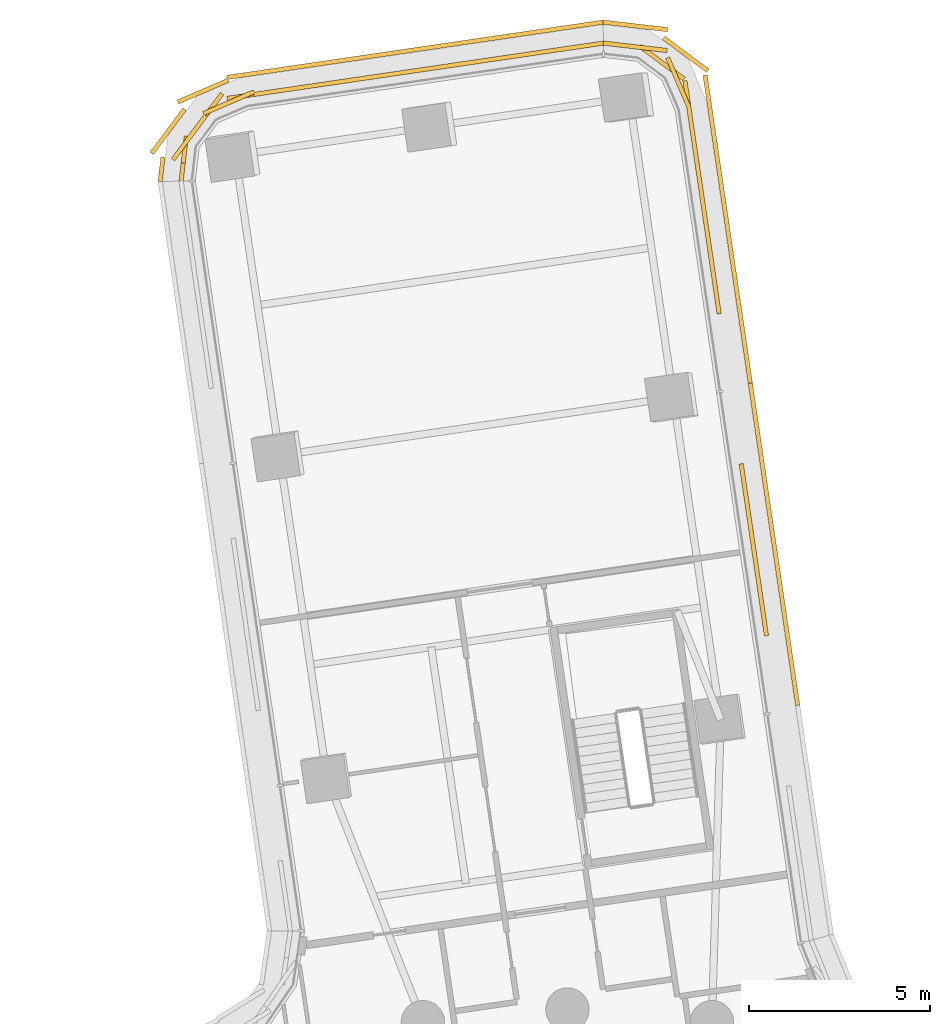
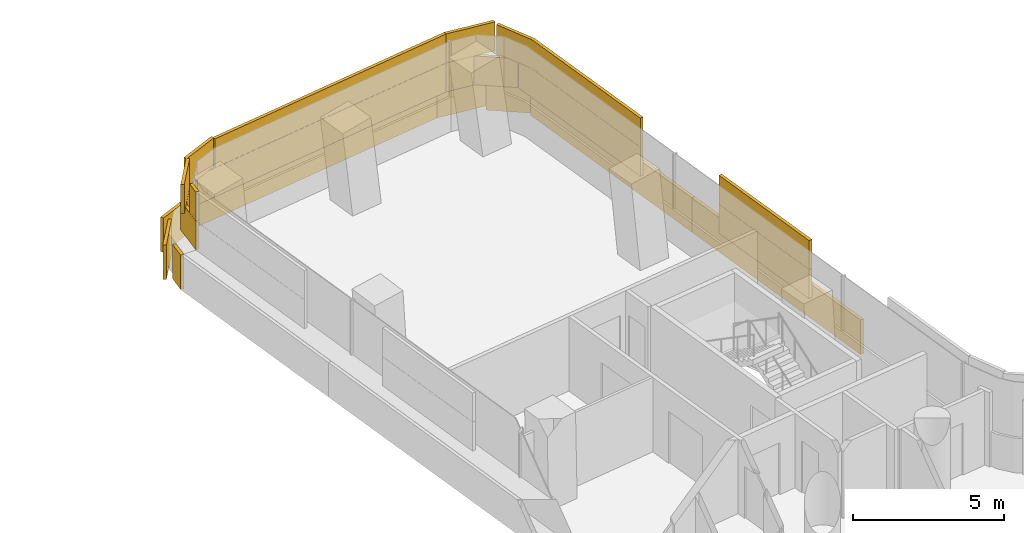
# One storey, part 31 of 31: 3 coverings.
"""IFC4 building model written with IfcOpenShell, lengths in metres."""

from ifc_helpers import new_model, si_unit, direction, frame, origin, origin_2d, place, context, subcontext, project, spatial, rectangle, extrude, material, layer, layer_set, type_object, element, save


model = new_model("IFC4")

# Units and contexts
model_context = context("Model", 3, precision=1e-05, world=origin(), true_north=direction((0.0, 1.0)))
body_context = subcontext(model_context, "Body", "Model", "MODEL_VIEW")
ifc_project = project(units=[si_unit("LENGTHUNIT", "METRE"), si_unit("AREAUNIT", "SQUARE_METRE"), si_unit("VOLUMEUNIT", "CUBIC_METRE"), si_unit("PLANEANGLEUNIT", "RADIAN"), si_unit("MASSUNIT", "GRAM", prefix="KILO")], contexts=[model_context])

# Site, building, storey
site_placement = place(None, origin())
site = spatial("IfcSite", under=ifc_project, at=site_placement, CompositionType="ELEMENT")
building_placement = place(site_placement, origin())
building = spatial("IfcBuilding", under=site, at=building_placement, Name="Tamarind Cross Interchange Tower", CompositionType="ELEMENT")
storey_placement = place(building_placement, frame((0.0, 0.0, 64.0)))
storey = spatial("IfcBuildingStorey", under=building, at=storey_placement, Name="L14", CompositionType="ELEMENT", Elevation=64.0)

# Coverings
ifc_material = material(Name="Terracotta", Category="masonry")
ifc_layer = layer(ifc_material, 0.1201171875)
ifc_layer_set = layer_set([ifc_layer], Name="Terracotta")
covering_type = type_object("IfcCoveringType", Name="Terracotta baguette screen unit", PredefinedType="MOLDING", material=ifc_layer_set)
covering_1_placement = place(storey_placement, origin())
element("IfcCovering", 1, at=covering_1_placement, inside=storey, type_object=covering_type, Name="SCR-L14-11-01", PredefinedType="MOLDING", context=body_context, shape_type="SweptSolid", body=[
    extrude(rectangle(XDim=0.5068359375, YDim=0.1201171875, at=origin_2d()), frame((5.465087890625, 33.576904296875, 1.404052734375), z_axis=(0.0, 0.0, 1.0), x_axis=(-0.14536472205, 0.989378136803, 0.0)), (0.0, 0.0, 1.0), 1.1669921875),
    extrude(rectangle(XDim=1.52001953125, YDim=0.1201171875, at=origin_2d()), frame((5.320068359375, 34.564697265625, 1.404052734375), z_axis=(0.0, 0.0, 1.0), x_axis=(-0.14536472205, 0.989378136803, 0.0)), (0.0, 0.0, 1.0), 1.1669921875),
    extrude(rectangle(XDim=1.52001953125, YDim=0.1201171875, at=origin_2d()), frame((5.10205078125, 36.048828125, 1.404052734375), z_axis=(0.0, 0.0, 1.0), x_axis=(-0.14536472205, 0.989378136803, 0.0)), (0.0, 0.0, 1.0), 1.1669921875),
    extrude(rectangle(XDim=1.3134765625, YDim=0.1201171875, at=origin_2d()), frame((4.898193359375, 37.435791015625, 1.404052734375), z_axis=(0.0, 0.0, 1.0), x_axis=(-0.14536472205, 0.989378136803, 0.0)), (0.0, 0.0, 1.0), 1.1669921875),
    extrude(rectangle(XDim=1.2568359375, YDim=0.1201171875, at=origin_2d()), frame((5.41064453125, 33.947998046875, 2.5791015625), z_axis=(0.0, 0.0, 1.0), x_axis=(-0.14536472205, 0.989378136803, 0.0)), (0.0, 0.0, 1.0), 1.1669921875),
    extrude(rectangle(XDim=1.52001953125, YDim=0.1201171875, at=origin_2d()), frame((5.2109375, 35.306884765625, 2.5791015625), z_axis=(0.0, 0.0, 1.0), x_axis=(-0.14536472205, 0.989378136803, 0.0)), (0.0, 0.0, 1.0), 1.1669921875),
    extrude(rectangle(XDim=1.52001953125, YDim=0.1201171875, at=origin_2d()), frame((4.992919921875, 36.790771484375, 2.5791015625), z_axis=(0.0, 0.0, 1.0), x_axis=(-0.14536472205, 0.989378136803, 0.0)), (0.0, 0.0, 1.0), 1.1669921875),
    extrude(rectangle(XDim=0.5634765625, YDim=0.1201171875, at=origin_2d()), frame((4.84375, 37.806640625, 2.5791015625), z_axis=(0.0, 0.0, 1.0), x_axis=(-0.14536472205, 0.989378136803, 0.0)), (0.0, 0.0, 1.0), 1.1669921875),
    extrude(rectangle(XDim=1.10498046875, YDim=0.1201171875, at=origin_2d()), frame((6.283935546875, 31.95361328125, 0.00390625), z_axis=(0.0, 0.0, 1.0), x_axis=(-0.14536472205, 0.989378136803, 0.0)), (0.0, 0.0, 1.0), 1.39208984375),
    extrude(rectangle(XDim=1.52001953125, YDim=0.1201171875, at=origin_2d()), frame((6.095947265625, 33.232421875, 0.00390625), z_axis=(0.0, 0.0, 1.0), x_axis=(-0.14536472205, 0.989378136803, 0.0)), (0.0, 0.0, 1.0), 1.39208984375),
    extrude(rectangle(XDim=1.52001953125, YDim=0.1201171875, at=origin_2d()), frame((5.8779296875, 34.71630859375, 0.00390625), z_axis=(0.0, 0.0, 1.0), x_axis=(-0.14536472205, 0.989378136803, 0.0)), (0.0, 0.0, 1.0), 1.39208984375),
    extrude(rectangle(XDim=1.52001953125, YDim=0.1201171875, at=origin_2d()), frame((5.659912109375, 36.200439453125, 0.00390625), z_axis=(0.0, 0.0, 1.0), x_axis=(-0.14536472205, 0.989378136803, 0.0)), (0.0, 0.0, 1.0), 1.39208984375),
    extrude(rectangle(XDim=1.52001953125, YDim=0.1201171875, at=origin_2d()), frame((5.44189453125, 37.6845703125, 0.00390625), z_axis=(0.0, 0.0, 1.0), x_axis=(-0.14536472205, 0.989378136803, 0.0)), (0.0, 0.0, 1.0), 1.39208984375),
    extrude(rectangle(XDim=1.52001953125, YDim=0.1201171875, at=origin_2d()), frame((5.223876953125, 39.168701171875, 0.00390625), z_axis=(0.0, 0.0, 1.0), x_axis=(-0.14536472205, 0.989378136803, 0.0)), (0.0, 0.0, 1.0), 1.39208984375),
    extrude(rectangle(XDim=0.41796875, YDim=0.1201171875, at=origin_2d()), frame((5.0859375, 40.107421875, 0.00390625), z_axis=(0.0, 0.0, 1.0), x_axis=(-0.14536472205, 0.989378136803, 0.0)), (0.0, 0.0, 1.0), 1.39208984375),
])
covering_2_placement = place(storey_placement, origin())
element("IfcCovering", 2, at=covering_2_placement, inside=storey, type_object=covering_type, Name="SCR-L14-11-02", PredefinedType="MOLDING", context=body_context, shape_type="SweptSolid", body=[
    extrude(rectangle(XDim=0.50634765625, YDim=0.1201171875, at=origin_2d()), frame((4.15673828125, 42.4814453125, 1.404052734375), z_axis=(0.0, 0.0, 1.0), x_axis=(-0.14536472205, 0.989378136803, 0.0)), (0.0, 0.0, 1.0), 1.1669921875),
    extrude(rectangle(XDim=1.52001953125, YDim=0.1201171875, at=origin_2d()), frame((4.01171875, 43.46923828125, 1.404052734375), z_axis=(0.0, 0.0, 1.0), x_axis=(-0.14536472205, 0.989378136803, 0.0)), (0.0, 0.0, 1.0), 1.1669921875),
    extrude(rectangle(XDim=1.52001953125, YDim=0.1201171875, at=origin_2d()), frame((3.793701171875, 44.953125, 1.404052734375), z_axis=(0.0, 0.0, 1.0), x_axis=(-0.14536472205, 0.989378136803, 0.0)), (0.0, 0.0, 1.0), 1.1669921875),
    extrude(rectangle(XDim=1.52001953125, YDim=0.1201171875, at=origin_2d()), frame((3.57568359375, 46.437255859375, 1.404052734375), z_axis=(0.0, 0.0, 1.0), x_axis=(-0.14536472205, 0.989378136803, 0.0)), (0.0, 0.0, 1.0), 1.1669921875),
    extrude(rectangle(XDim=1.52001953125, YDim=0.1201171875, at=origin_2d()), frame((3.357666015625, 47.92138671875, 1.404052734375), z_axis=(0.0, 0.0, 1.0), x_axis=(-0.14536472205, 0.989378136803, 0.0)), (0.0, 0.0, 1.0), 1.1669921875),
    extrude(rectangle(XDim=1.52001953125, YDim=0.1201171875, at=origin_2d()), frame((2.61279296875, 49.175048828125, 1.404052734375), z_axis=(0.0, 0.0, 1.0), x_axis=(-0.802384370398, 0.596807608984, 0.0)), (0.0, 0.0, 1.0), 1.1669921875),
    extrude(rectangle(XDim=1.0224609375, YDim=0.1201171875, at=origin_2d()), frame((1.4970703125, 49.65283203125, 1.404052734375), z_axis=(0.0, 0.0, 1.0), x_axis=(-0.993289052856, 0.115658365354, 0.0)), (0.0, 0.0, 1.0), 1.1669921875),
    extrude(rectangle(XDim=1.25634765625, YDim=0.1201171875, at=origin_2d()), frame((4.102294921875, 42.8525390625, 2.5791015625), z_axis=(0.0, 0.0, 1.0), x_axis=(-0.14536472205, 0.989378136803, 0.0)), (0.0, 0.0, 1.0), 1.1669921875),
    extrude(rectangle(XDim=1.52001953125, YDim=0.1201171875, at=origin_2d()), frame((3.90283203125, 44.211181640625, 2.5791015625), z_axis=(0.0, 0.0, 1.0), x_axis=(-0.14536472205, 0.989378136803, 0.0)), (0.0, 0.0, 1.0), 1.1669921875),
    extrude(rectangle(XDim=1.52001953125, YDim=0.1201171875, at=origin_2d()), frame((3.6845703125, 45.6953125, 2.5791015625), z_axis=(0.0, 0.0, 1.0), x_axis=(-0.14536472205, 0.989378136803, 0.0)), (0.0, 0.0, 1.0), 1.1669921875),
    extrude(rectangle(XDim=1.52001953125, YDim=0.1201171875, at=origin_2d()), frame((3.466552734375, 47.179443359375, 2.5791015625), z_axis=(0.0, 0.0, 1.0), x_axis=(-0.14536472205, 0.989378136803, 0.0)), (0.0, 0.0, 1.0), 1.1669921875),
    extrude(rectangle(XDim=1.52001953125, YDim=0.1201171875, at=origin_2d()), frame((3.0693359375, 48.612548828125, 2.5791015625), z_axis=(0.0, 0.0, 1.0), x_axis=(-0.396481443872, 0.918042735751, 0.0)), (0.0, 0.0, 1.0), 1.1669921875),
    extrude(rectangle(XDim=1.52001953125, YDim=0.1201171875, at=origin_2d()), frame((1.999755859375, 49.594482421875, 2.5791015625), z_axis=(0.0, 0.0, 1.0), x_axis=(-0.993289052856, 0.115658365354, 0.0)), (0.0, 0.0, 1.0), 1.1669921875),
    extrude(rectangle(XDim=0.2724609375, YDim=0.1201171875, at=origin_2d()), frame((1.12451171875, 49.6962890625, 2.5791015625), z_axis=(0.0, 0.0, 1.0), x_axis=(-0.993289052856, 0.115658365354, 0.0)), (0.0, 0.0, 1.0), 1.1669921875),
    extrude(rectangle(XDim=1.10205078125, YDim=0.1201171875, at=origin_2d()), frame((4.975341796875, 40.859375, 0.00390625), z_axis=(0.0, 0.0, 1.0), x_axis=(-0.14536472205, 0.989378136803, 0.0)), (0.0, 0.0, 1.0), 1.39208984375),
    extrude(rectangle(XDim=1.52001953125, YDim=0.1201171875, at=origin_2d()), frame((4.78759765625, 42.13671875, 0.00390625), z_axis=(0.0, 0.0, 1.0), x_axis=(-0.14536472205, 0.989378136803, 0.0)), (0.0, 0.0, 1.0), 1.39208984375),
    extrude(rectangle(XDim=1.52001953125, YDim=0.1201171875, at=origin_2d()), frame((4.569580078125, 43.620849609375, 0.00390625), z_axis=(0.0, 0.0, 1.0), x_axis=(-0.14536472205, 0.989378136803, 0.0)), (0.0, 0.0, 1.0), 1.39208984375),
    extrude(rectangle(XDim=1.52001953125, YDim=0.1201171875, at=origin_2d()), frame((4.3515625, 45.10498046875, 0.00390625), z_axis=(0.0, 0.0, 1.0), x_axis=(-0.14536472205, 0.989378136803, 0.0)), (0.0, 0.0, 1.0), 1.39208984375),
    extrude(rectangle(XDim=1.52001953125, YDim=0.1201171875, at=origin_2d()), frame((4.133544921875, 46.5888671875, 0.00390625), z_axis=(0.0, 0.0, 1.0), x_axis=(-0.14536472205, 0.989378136803, 0.0)), (0.0, 0.0, 1.0), 1.39208984375),
    extrude(rectangle(XDim=1.52001953125, YDim=0.1201171875, at=origin_2d()), frame((3.91552734375, 48.072998046875, 0.00390625), z_axis=(0.0, 0.0, 1.0), x_axis=(-0.14536472205, 0.989378136803, 0.0)), (0.0, 0.0, 1.0), 1.39208984375),
    extrude(rectangle(XDim=1.52001953125, YDim=0.1201171875, at=origin_2d()), frame((3.26806640625, 49.403076171875, 0.00390625), z_axis=(0.0, 0.0, 1.0), x_axis=(-0.802384370398, 0.596807608984, 0.0)), (0.0, 0.0, 1.0), 1.39208984375),
    extrude(rectangle(XDim=1.52001953125, YDim=0.1201171875, at=origin_2d()), frame((2.013916015625, 50.170654296875, 0.00390625), z_axis=(0.0, 0.0, 1.0), x_axis=(-0.993289052856, 0.115658365354, 0.0)), (0.0, 0.0, 1.0), 1.39208984375),
    extrude(rectangle(XDim=0.29541015625, YDim=0.1201171875, at=origin_2d()), frame((1.13232421875, 50.273193359375, 0.00390625), z_axis=(0.0, 0.0, 1.0), x_axis=(-0.993289052856, 0.115658365354, 0.0)), (0.0, 0.0, 1.0), 1.39208984375),
])
covering_3_placement = place(storey_placement, origin())
element("IfcCovering", 3, at=covering_3_placement, inside=storey, type_object=covering_type, Name="SCR-L14-12-00", PredefinedType="MOLDING", context=body_context, shape_type="SweptSolid", body=[
    extrude(rectangle(XDim=1.510009765625, YDim=0.1201171875, at=origin_2d()), frame((0.252197265625, 49.6025390625, 1.404052734375), z_axis=(0.0, 0.0, 1.0), x_axis=(-0.989378136803, -0.14536472205, 0.0)), (0.0, 0.0, 1.0), 1.1669921875),
    extrude(rectangle(XDim=1.52001953125, YDim=0.1201171875, at=origin_2d()), frame((-1.23193359375, 49.384521484375, 1.404052734375), z_axis=(0.0, 0.0, 1.0), x_axis=(-0.989378136803, -0.14536472205, 0.0)), (0.0, 0.0, 1.0), 1.1669921875),
    extrude(rectangle(XDim=1.52001953125, YDim=0.1201171875, at=origin_2d()), frame((-2.716064453125, 49.166259765625, 1.404052734375), z_axis=(0.0, 0.0, 1.0), x_axis=(-0.989378136803, -0.14536472205, 0.0)), (0.0, 0.0, 1.0), 1.1669921875),
    extrude(rectangle(XDim=1.52001953125, YDim=0.1201171875, at=origin_2d()), frame((-4.2001953125, 48.9482421875, 1.404052734375), z_axis=(0.0, 0.0, 1.0), x_axis=(-0.989378136803, -0.14536472205, 0.0)), (0.0, 0.0, 1.0), 1.1669921875),
    extrude(rectangle(XDim=1.52001953125, YDim=0.1201171875, at=origin_2d()), frame((-5.68408203125, 48.730224609375, 1.404052734375), z_axis=(0.0, 0.0, 1.0), x_axis=(-0.989378136803, -0.14536472205, 0.0)), (0.0, 0.0, 1.0), 1.1669921875),
    extrude(rectangle(XDim=1.52001953125, YDim=0.1201171875, at=origin_2d()), frame((-7.168212890625, 48.51220703125, 1.404052734375), z_axis=(0.0, 0.0, 1.0), x_axis=(-0.989378136803, -0.14536472205, 0.0)), (0.0, 0.0, 1.0), 1.1669921875),
    extrude(rectangle(XDim=1.52001953125, YDim=0.1201171875, at=origin_2d()), frame((-8.65234375, 48.294189453125, 1.404052734375), z_axis=(0.0, 0.0, 1.0), x_axis=(-0.989378136803, -0.14536472205, 0.0)), (0.0, 0.0, 1.0), 1.1669921875),
    extrude(rectangle(XDim=1.52001953125, YDim=0.1201171875, at=origin_2d()), frame((-9.9990234375, 47.705322265625, 1.404052734375), z_axis=(0.0, 0.0, 1.0), x_axis=(-0.596807608984, -0.802384370398, 0.0)), (0.0, 0.0, 1.0), 1.1669921875),
    extrude(rectangle(XDim=1.259521484375, YDim=0.1201171875, at=origin_2d()), frame((-10.604736328125, 46.516845703125, 1.404052734375), z_axis=(0.0, 0.0, 1.0), x_axis=(-0.115658365354, -0.993289052856, 0.0)), (0.0, 0.0, 1.0), 1.1669921875),
    extrude(rectangle(XDim=0.760009765625, YDim=0.1201171875, at=origin_2d()), frame((0.623046875, 49.656982421875, 2.5791015625), z_axis=(0.0, 0.0, 1.0), x_axis=(-0.989378136803, -0.14536472205, 0.0)), (0.0, 0.0, 1.0), 1.1669921875),
    extrude(rectangle(XDim=1.52001953125, YDim=0.1201171875, at=origin_2d()), frame((-0.489990234375, 49.493408203125, 2.5791015625), z_axis=(0.0, 0.0, 1.0), x_axis=(-0.989378136803, -0.14536472205, 0.0)), (0.0, 0.0, 1.0), 1.1669921875),
    extrude(rectangle(XDim=1.52001953125, YDim=0.1201171875, at=origin_2d()), frame((-1.97412109375, 49.275390625, 2.5791015625), z_axis=(0.0, 0.0, 1.0), x_axis=(-0.989378136803, -0.14536472205, 0.0)), (0.0, 0.0, 1.0), 1.1669921875),
    extrude(rectangle(XDim=1.52001953125, YDim=0.1201171875, at=origin_2d()), frame((-3.4580078125, 49.057373046875, 2.5791015625), z_axis=(0.0, 0.0, 1.0), x_axis=(-0.989378136803, -0.14536472205, 0.0)), (0.0, 0.0, 1.0), 1.1669921875),
    extrude(rectangle(XDim=1.52001953125, YDim=0.1201171875, at=origin_2d()), frame((-4.942138671875, 48.83935546875, 2.5791015625), z_axis=(0.0, 0.0, 1.0), x_axis=(-0.989378136803, -0.14536472205, 0.0)), (0.0, 0.0, 1.0), 1.1669921875),
    extrude(rectangle(XDim=1.52001953125, YDim=0.1201171875, at=origin_2d()), frame((-6.42626953125, 48.621337890625, 2.5791015625), z_axis=(0.0, 0.0, 1.0), x_axis=(-0.989378136803, -0.14536472205, 0.0)), (0.0, 0.0, 1.0), 1.1669921875),
    extrude(rectangle(XDim=1.52001953125, YDim=0.1201171875, at=origin_2d()), frame((-7.91015625, 48.4033203125, 2.5791015625), z_axis=(0.0, 0.0, 1.0), x_axis=(-0.989378136803, -0.14536472205, 0.0)), (0.0, 0.0, 1.0), 1.1669921875),
    extrude(rectangle(XDim=1.52001953125, YDim=0.1201171875, at=origin_2d()), frame((-9.3603515625, 48.065673828125, 2.5791015625), z_axis=(0.0, 0.0, 1.0), x_axis=(-0.918042735751, -0.396481443872, 0.0)), (0.0, 0.0, 1.0), 1.1669921875),
    extrude(rectangle(XDim=1.52001953125, YDim=0.1201171875, at=origin_2d()), frame((-10.44677734375, 47.103515625, 2.5791015625), z_axis=(0.0, 0.0, 1.0), x_axis=(-0.596807608984, -0.802384370398, 0.0)), (0.0, 0.0, 1.0), 1.1669921875),
    extrude(rectangle(XDim=0.509521484375, YDim=0.1201171875, at=origin_2d()), frame((-10.648193359375, 46.14453125, 2.5791015625), z_axis=(0.0, 0.0, 1.0), x_axis=(-0.115658365354, -0.993289052856, 0.0)), (0.0, 0.0, 1.0), 1.1669921875),
    extrude(rectangle(XDim=1.510009765625, YDim=0.1201171875, at=origin_2d()), frame((0.238525390625, 50.1806640625, 0.00390625), z_axis=(0.0, 0.0, 1.0), x_axis=(-0.989378136803, -0.14536472205, 0.0)), (0.0, 0.0, 1.0), 1.39208984375),
    extrude(rectangle(XDim=1.52001953125, YDim=0.1201171875, at=origin_2d()), frame((-1.24072265625, 49.96337890625, 0.00390625), z_axis=(0.0, 0.0, 1.0), x_axis=(-0.989378136803, -0.14536472205, 0.0)), (0.0, 0.0, 1.0), 1.39208984375),
    extrude(rectangle(XDim=1.52001953125, YDim=0.1201171875, at=origin_2d()), frame((-2.724609375, 49.745361328125, 0.00390625), z_axis=(0.0, 0.0, 1.0), x_axis=(-0.989378136803, -0.14536472205, 0.0)), (0.0, 0.0, 1.0), 1.39208984375),
    extrude(rectangle(XDim=1.52001953125, YDim=0.1201171875, at=origin_2d()), frame((-4.208740234375, 49.527099609375, 0.00390625), z_axis=(0.0, 0.0, 1.0), x_axis=(-0.989378136803, -0.14536472205, 0.0)), (0.0, 0.0, 1.0), 1.39208984375),
    extrude(rectangle(XDim=1.52001953125, YDim=0.1201171875, at=origin_2d()), frame((-5.69287109375, 49.30908203125, 0.00390625), z_axis=(0.0, 0.0, 1.0), x_axis=(-0.989378136803, -0.14536472205, 0.0)), (0.0, 0.0, 1.0), 1.39208984375),
    extrude(rectangle(XDim=1.52001953125, YDim=0.1201171875, at=origin_2d()), frame((-7.177001953125, 49.091064453125, 0.00390625), z_axis=(0.0, 0.0, 1.0), x_axis=(-0.989378136803, -0.14536472205, 0.0)), (0.0, 0.0, 1.0), 1.39208984375),
    extrude(rectangle(XDim=1.52001953125, YDim=0.1201171875, at=origin_2d()), frame((-8.660888671875, 48.873046875, 0.00390625), z_axis=(0.0, 0.0, 1.0), x_axis=(-0.989378136803, -0.14536472205, 0.0)), (0.0, 0.0, 1.0), 1.39208984375),
    extrude(rectangle(XDim=1.52001953125, YDim=0.1201171875, at=origin_2d()), frame((-10.068359375, 48.385009765625, 0.00390625), z_axis=(0.0, 0.0, 1.0), x_axis=(-0.918042735751, -0.396481443872, 0.0)), (0.0, 0.0, 1.0), 1.39208984375),
    extrude(rectangle(XDim=1.52001953125, YDim=0.1201171875, at=origin_2d()), frame((-11.035888671875, 47.27294921875, 0.00390625), z_axis=(0.0, 0.0, 1.0), x_axis=(-0.596807608984, -0.802384370398, 0.0)), (0.0, 0.0, 1.0), 1.39208984375),
    extrude(rectangle(XDim=0.6767578125, YDim=0.1201171875, at=origin_2d()), frame((-11.216796875, 46.22412109375, 0.00390625), z_axis=(0.0, 0.0, 1.0), x_axis=(-0.115658365354, -0.993289052856, 0.0)), (0.0, 0.0, 1.0), 1.39208984375),
])

save(model, "model.ifc")
